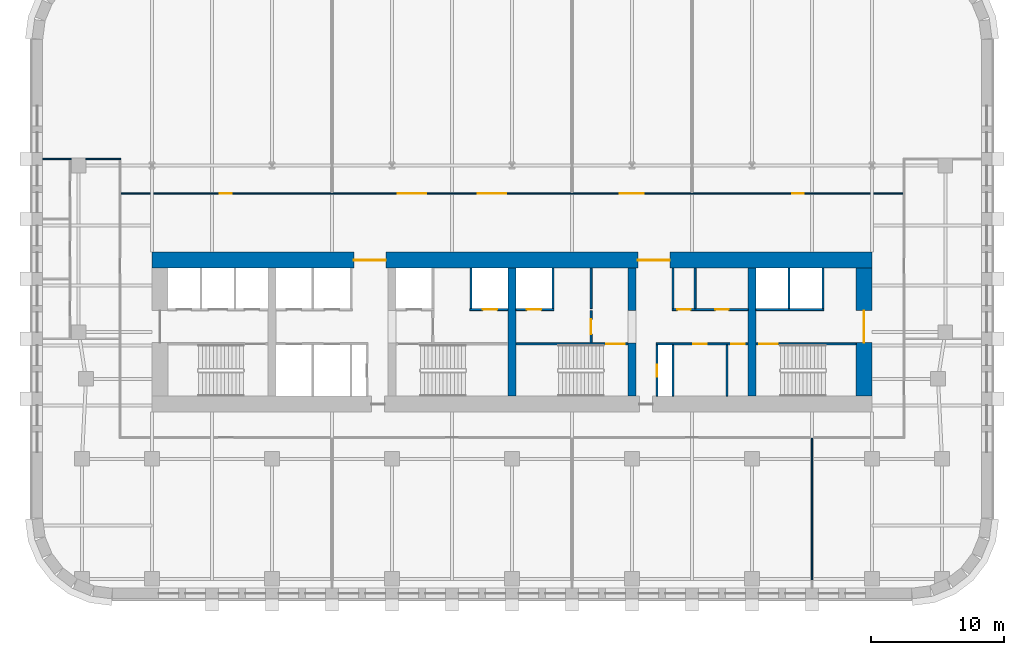
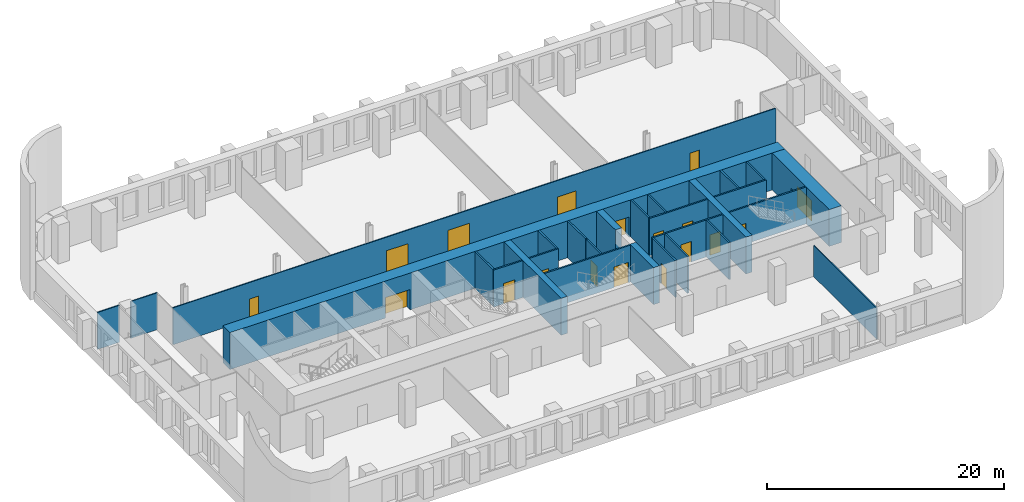
# One storey, part 6 of 11: 28 walls, 18 doors, 18 openings.
"""IFC4 building model written with IfcOpenShell, lengths in metres."""

from ifc_helpers import new_model, si_unit, direction, frame, frame_2d, origin, place, context, subcontext, project, spatial, rectangle, extrude, material, layer, layer_set, type_object, element, fill, save


model = new_model("IFC4")

# Units and contexts
model_context = context("Model", 3, precision=1e-05, world=origin(), true_north=direction((0.0, 1.0)))
body_context = subcontext(model_context, "Body", "Model", "MODEL_VIEW")
ifc_project = project(units=[si_unit("LENGTHUNIT", "METRE"), si_unit("AREAUNIT", "SQUARE_METRE"), si_unit("VOLUMEUNIT", "CUBIC_METRE"), si_unit("PLANEANGLEUNIT", "RADIAN"), si_unit("MASSUNIT", "GRAM", prefix="KILO")], contexts=[model_context])

# Site, building, storey
site_placement = place(None, origin())
site = spatial("IfcSite", under=ifc_project, at=site_placement, CompositionType="ELEMENT")
building_placement = place(site_placement, origin())
building = spatial("IfcBuilding", under=site, at=building_placement, Name="Zellij Exchange Tower", CompositionType="ELEMENT")
storey_placement = place(building_placement, frame((0.0, 0.0, 64.5)))
storey = spatial("IfcBuildingStorey", under=building, at=storey_placement, Name="L12", CompositionType="ELEMENT", Elevation=64.5)

# Walls
ifc_material_1 = material(Name="Concrete C70/85", Category="concrete")
ifc_layer_1 = layer(ifc_material_1, 0.60009765625)
ifc_layer_set_1 = layer_set([ifc_layer_1], Name="Concrete C70/85")
wall_type_1 = type_object("IfcWallType", Name="CORE-CW 600 C70/85", PredefinedType="SHEAR", material=ifc_layer_set_1)
wall_1_placement = place(storey_placement, frame((0.0, -12.800048828125, 0.0), z_axis=(0.0, 0.0, 1.0), x_axis=(0.0, 1.0, 0.0)))
element("IfcWall", 1, at=wall_1_placement, inside=storey, type_object=wall_type_1, Name="Core cross wall x 0 L12", PredefinedType="SHEAR", context=body_context, shape_type="SweptSolid", body=[
    extrude(rectangle(XDim=9.60009765625, YDim=0.60009765625, at=frame_2d((4.800048828125, 0.0))), origin(), (0.0, 0.0, 1.0), 3.800048828125),
])
wall_2_placement = place(storey_placement, frame((9.0, -12.800048828125, 0.0), z_axis=(0.0, 0.0, 1.0), x_axis=(0.0, 1.0, 0.0)))
element("IfcWall", 2, at=wall_2_placement, inside=storey, type_object=wall_type_1, Name="Core cross wall pier x 9 a L12", PredefinedType="SHEAR", context=body_context, shape_type="SweptSolid", body=[
    extrude(rectangle(XDim=4.0, YDim=0.60009765625, at=frame_2d((2.0, 0.0))), origin(), (0.0, 0.0, 1.0), 3.800048828125),
])
wall_3_placement = place(storey_placement, frame((9.0, -6.375, 0.0), z_axis=(0.0, 0.0, 1.0), x_axis=(0.0, 1.0, 0.0)))
element("IfcWall", 3, at=wall_3_placement, inside=storey, type_object=wall_type_1, Name="Core cross wall pier x 9 b L12", PredefinedType="SHEAR", context=body_context, shape_type="SweptSolid", body=[
    extrude(rectangle(XDim=3.175048828125, YDim=0.60009765625, at=frame_2d((1.58740234375, 0.0))), origin(), (0.0, 0.0, 1.0), 3.800048828125),
])
wall_4_placement = place(storey_placement, frame((18.0, -12.800048828125, 0.0), z_axis=(0.0, 0.0, 1.0), x_axis=(0.0, 1.0, 0.0)))
element("IfcWall", 4, at=wall_4_placement, inside=storey, type_object=wall_type_1, Name="Core cross wall x 18 L12", PredefinedType="SHEAR", context=body_context, shape_type="SweptSolid", body=[
    extrude(rectangle(XDim=9.60009765625, YDim=0.60009765625, at=frame_2d((4.800048828125, 0.0))), origin(), (0.0, 0.0, 1.0), 3.800048828125),
])

# Wall, opening, door
ifc_material_2 = material(Name="Gypsum shaft wall system")
ifc_layer_2 = layer(ifc_material_2, 0.14990234375)
ifc_layer_set_2 = layer_set([ifc_layer_2], Name="Gypsum shaft wall system")
wall_type_2 = type_object("IfcWallType", Name="CORE-PW 150 Firefighting lobby wall", PredefinedType="PARTITIONING", material=ifc_layer_set_2)
wall_5_placement = place(storey_placement, frame((5.925048828125, -8.800048828125, 0.0), z_axis=(0.0, 0.0, 1.0), x_axis=(0.0, 1.0, 0.0)))
wall_5 = element("IfcWall", 5, at=wall_5_placement, inside=storey, type_object=wall_type_2, Name="Firefighting lobby wall L12", PredefinedType="PARTITIONING", context=body_context, shape_type="SweptSolid", body=[
    extrude(rectangle(XDim=2.425048828125, YDim=0.14990234375, at=frame_2d((1.21240234375, 0.0))), origin(), (0.0, 0.0, 1.0), 3.800048828125),
])
opening_1_placement = place(wall_5_placement, frame((0.662109375, 0.0, 0.0)))
opening_1 = element("IfcOpeningElement", 6, at=opening_1_placement, cuts=wall_5, Name="Opening CA-08.18", PredefinedType="OPENING", context=body_context, shape_type="SweptSolid", body=[
    extrude(rectangle(XDim=1.10009765625, YDim=2.10009765625, at=frame_2d((0.550048828125, 1.050048828125))), frame((0.0, 0.0869140625, 0.0), z_axis=(0.0, -1.0, 0.0), x_axis=(1.0, 0.0, 0.0)), (0.0, 0.0, 1.0), 0.173828125),
])
ifc_material_3 = material(Name="Hollow metal fire door")
door_type_1 = type_object("IfcDoorType", Name="CORE-D F Firefighting lobby door 1100x2100 1 HR", OperationType="NOTDEFINED", PredefinedType="DOOR", material=ifc_material_3)
door_1_placement = place(opening_1_placement, origin())
door_1 = element("IfcDoor", 7, at=door_1_placement, inside=storey, type_object=door_type_1, Name="Firefighting lobby door CA-08.18", OperationType="SINGLE_SWING_RIGHT", OverallHeight=2.10009765625, OverallWidth=1.10009765625, PredefinedType="DOOR", context=body_context, shape_type="SweptSolid", body=[
    extrude(rectangle(XDim=1.10009765625, YDim=2.10009765625, at=frame_2d((0.550048828125, 1.050048828125))), frame((0.0, 0.02490234375, 0.0), z_axis=(0.0, -1.0, 0.0), x_axis=(1.0, 0.0, 0.0)), (0.0, 0.0, 1.0), 0.050048828125),
])
fill(opening_1, door_1)

# Walls
ifc_material_4 = material(Name="Gypsum board partition")
ifc_layer_3 = layer(ifc_material_4, 0.14990234375)
ifc_layer_set_3 = layer_set([ifc_layer_3], Name="Gypsum board partition")
wall_type_3 = type_object("IfcWallType", Name="CORE-PW 150 Lift lobby wall", PredefinedType="PARTITIONING", material=ifc_layer_set_3)
for number, where, z_axis, x_axis, name in (
    (8, (5.925048828125, -6.22509765625, 0.0), (0.0, 0.0, 1.0), (0.0, 1.0, 0.0), "Lift lobby wall L12"),
    (9, (12.074951171875, -6.22509765625, 0.0), (0.0, 0.0, 1.0), (0.0, 1.0, 0.0), "Lift lobby wall L12"),
    (10, (13.72509765625, -6.22509765625, 0.0), (0.0, 0.0, 1.0), (0.0, 1.0, 0.0), "Lift lobby wall L12"),
):
    element("IfcWall", number, at=place(storey_placement, frame(where, z_axis=z_axis, x_axis=x_axis)), inside=storey, type_object=wall_type_3, Name=name, PredefinedType="PARTITIONING", context=body_context, shape_type="SweptSolid", body=[
        extrude(rectangle(XDim=3.025146484375, YDim=0.14990234375, at=frame_2d((1.5126953125, 0.0))), origin(), (0.0, 0.0, 1.0), 3.800048828125),
    ])

# Wall, opening, door
wall_6_placement = place(storey_placement, frame((10.875, -12.800048828125, 0.0), z_axis=(0.0, 0.0, 1.0), x_axis=(0.0, 1.0, 0.0)))
wall_6 = element("IfcWall", 11, at=wall_6_placement, inside=storey, type_object=wall_type_3, Name="Lift lobby wall L12", PredefinedType="PARTITIONING", context=body_context, shape_type="SweptSolid", body=[
    extrude(rectangle(XDim=3.85009765625, YDim=0.14990234375, at=frame_2d((1.925048828125, 0.0))), origin(), (0.0, 0.0, 1.0), 3.800048828125),
])
opening_2_placement = place(wall_6_placement, frame((1.47509765625, 0.0, 0.0)))
opening_2 = element("IfcOpeningElement", 12, at=opening_2_placement, cuts=wall_6, Name="Opening CA-08.22", PredefinedType="OPENING", context=body_context, shape_type="SweptSolid", body=[
    extrude(rectangle(XDim=0.89990234375, YDim=2.10009765625, at=frame_2d((0.449951171875, 1.050048828125))), frame((0.0, 0.0869140625, 0.0), z_axis=(0.0, -1.0, 0.0), x_axis=(1.0, 0.0, 0.0)), (0.0, 0.0, 1.0), 0.173828125),
])
door_type_2 = type_object("IfcDoorType", Name="CORE-D RD Riser door 900x2100 1.5 HR", OperationType="NOTDEFINED", PredefinedType="DOOR", material=ifc_material_3)
door_2_placement = place(opening_2_placement, origin())
door_2 = element("IfcDoor", 13, at=door_2_placement, inside=storey, type_object=door_type_2, Name="Riser door CA-08.22", OperationType="SINGLE_SWING_LEFT", OverallHeight=2.10009765625, OverallWidth=0.89990234375, PredefinedType="DOOR", context=body_context, shape_type="SweptSolid", body=[
    extrude(rectangle(XDim=0.89990234375, YDim=2.10009765625, at=frame_2d((0.449951171875, 1.050048828125))), frame((0.0, 0.02490234375, 0.0), z_axis=(0.0, -1.0, 0.0), x_axis=(1.0, 0.0, 0.0)), (0.0, 0.0, 1.0), 0.050048828125),
])
fill(opening_2, door_2)

# Walls
for number, where, z_axis, x_axis, name in (
    (14, (12.074951171875, -12.800048828125, 0.0), (0.0, 0.0, 1.0), (0.0, 1.0, 0.0), "Lift lobby wall L12"),
    (15, (16.125, -12.800048828125, 0.0), (0.0, 0.0, 1.0), (0.0, 1.0, 0.0), "Lift lobby wall L12"),
):
    element("IfcWall", number, at=place(storey_placement, frame(where, z_axis=z_axis, x_axis=x_axis)), inside=storey, type_object=wall_type_3, Name=name, PredefinedType="PARTITIONING", context=body_context, shape_type="SweptSolid", body=[
        extrude(rectangle(XDim=3.85009765625, YDim=0.14990234375, at=frame_2d((1.925048828125, 0.0))), origin(), (0.0, 0.0, 1.0), 3.800048828125),
    ])

# Wall, openings, doors
wall_7_placement = place(storey_placement, frame((12.0, -6.300048828125, 0.0), z_axis=(0.0, 0.0, 1.0), x_axis=(1.0, 0.0, 0.0)))
wall_7 = element("IfcWall", 16, at=wall_7_placement, inside=storey, type_object=wall_type_3, Name="Lift lobby wall L12", PredefinedType="PARTITIONING", context=body_context, shape_type="SweptSolid", body=[
    extrude(rectangle(XDim=5.699951171875, YDim=0.14990234375, at=frame_2d((2.85009765625, 0.0))), origin(), (0.0, 0.0, 1.0), 3.800048828125),
])
opening_3_placement = place(wall_7_placement, frame((0.39990234375, 0.0, 0.0)))
opening_3 = element("IfcOpeningElement", 17, at=opening_3_placement, cuts=wall_7, Name="Opening CA-08.23", PredefinedType="OPENING", context=body_context, shape_type="SweptSolid", body=[
    extrude(rectangle(XDim=1.0, YDim=2.10009765625, at=frame_2d((0.5, 1.050048828125))), frame((0.0, 0.0869140625, 0.0), z_axis=(0.0, -1.0, 0.0), x_axis=(1.0, 0.0, 0.0)), (0.0, 0.0, 1.0), 0.173828125),
])
opening_4_placement = place(wall_7_placement, frame((3.25, 0.0, 0.0)))
opening_4 = element("IfcOpeningElement", 18, at=opening_4_placement, cuts=wall_7, Name="Opening CA-08.25", PredefinedType="OPENING", context=body_context, shape_type="SweptSolid", body=[
    extrude(rectangle(XDim=1.0, YDim=2.10009765625, at=frame_2d((0.5, 1.050048828125))), frame((0.0, 0.0869140625, 0.0), z_axis=(0.0, -1.0, 0.0), x_axis=(1.0, 0.0, 0.0)), (0.0, 0.0, 1.0), 0.173828125),
])
door_type_3 = type_object("IfcDoorType", Name="CORE-D CD Core room door 1000x2100 1 HR", OperationType="NOTDEFINED", PredefinedType="DOOR", material=ifc_material_3)
door_3_placement = place(opening_3_placement, origin())
door_3 = element("IfcDoor", 19, at=door_3_placement, inside=storey, type_object=door_type_3, Name="Core room door CA-08.23", OperationType="SINGLE_SWING_LEFT", OverallHeight=2.10009765625, OverallWidth=1.0, PredefinedType="DOOR", context=body_context, shape_type="SweptSolid", body=[
    extrude(rectangle(XDim=1.0, YDim=2.10009765625, at=frame_2d((0.5, 1.050048828125))), frame((0.0, 0.02490234375, 0.0), z_axis=(0.0, -1.0, 0.0), x_axis=(1.0, 0.0, 0.0)), (0.0, 0.0, 1.0), 0.050048828125),
])
fill(opening_3, door_3)
door_4_placement = place(opening_4_placement, origin())
door_4 = element("IfcDoor", 20, at=door_4_placement, inside=storey, type_object=door_type_3, Name="Core room door CA-08.25", OperationType="SINGLE_SWING_RIGHT", OverallHeight=2.10009765625, OverallWidth=1.0, PredefinedType="DOOR", context=body_context, shape_type="SweptSolid", body=[
    extrude(rectangle(XDim=1.0, YDim=2.10009765625, at=frame_2d((0.5, 1.050048828125))), frame((0.0, 0.02490234375, 0.0), z_axis=(0.0, -1.0, 0.0), x_axis=(1.0, 0.0, 0.0)), (0.0, 0.0, 1.0), 0.050048828125),
])
fill(opening_4, door_4)

wall_8_placement = place(storey_placement, frame((10.800048828125, -8.875, 0.0), z_axis=(0.0, 0.0, 1.0), x_axis=(1.0, 0.0, 0.0)))
wall_8 = element("IfcWall", 21, at=wall_8_placement, inside=storey, type_object=wall_type_3, Name="Lift lobby wall L12", PredefinedType="PARTITIONING", context=body_context, shape_type="SweptSolid", body=[
    extrude(rectangle(XDim=6.89990234375, YDim=0.14990234375, at=frame_2d((3.449951171875, 0.0))), origin(), (0.0, 0.0, 1.0), 3.800048828125),
])
opening_5_placement = place(wall_8_placement, frame((2.800048828125, 0.0, 0.0)))
opening_5 = element("IfcOpeningElement", 22, at=opening_5_placement, cuts=wall_8, Name="Opening CA-08.24", PredefinedType="OPENING", context=body_context, shape_type="SweptSolid", body=[
    extrude(rectangle(XDim=1.0, YDim=2.10009765625, at=frame_2d((0.5, 1.050048828125))), frame((0.0, 0.0869140625, 0.0), z_axis=(0.0, -1.0, 0.0), x_axis=(1.0, 0.0, 0.0)), (0.0, 0.0, 1.0), 0.173828125),
])
opening_6_placement = place(wall_8_placement, frame((5.64990234375, 0.0, 0.0)))
opening_6 = element("IfcOpeningElement", 23, at=opening_6_placement, cuts=wall_8, Name="Opening CA-08.26", PredefinedType="OPENING", context=body_context, shape_type="SweptSolid", body=[
    extrude(rectangle(XDim=1.0, YDim=2.10009765625, at=frame_2d((0.5, 1.050048828125))), frame((0.0, 0.0869140625, 0.0), z_axis=(0.0, -1.0, 0.0), x_axis=(1.0, 0.0, 0.0)), (0.0, 0.0, 1.0), 0.173828125),
])
door_5_placement = place(opening_5_placement, origin())
door_5 = element("IfcDoor", 24, at=door_5_placement, inside=storey, type_object=door_type_3, Name="Core room door CA-08.24", OperationType="SINGLE_SWING_RIGHT", OverallHeight=2.10009765625, OverallWidth=1.0, PredefinedType="DOOR", context=body_context, shape_type="SweptSolid", body=[
    extrude(rectangle(XDim=1.0, YDim=2.10009765625, at=frame_2d((0.5, 1.050048828125))), frame((0.0, 0.02490234375, 0.0), z_axis=(0.0, -1.0, 0.0), x_axis=(1.0, 0.0, 0.0)), (0.0, 0.0, 1.0), 0.050048828125),
])
fill(opening_5, door_5)
door_6_placement = place(opening_6_placement, origin())
door_6 = element("IfcDoor", 25, at=door_6_placement, inside=storey, type_object=door_type_3, Name="Core room door CA-08.26", OperationType="SINGLE_SWING_LEFT", OverallHeight=2.10009765625, OverallWidth=1.0, PredefinedType="DOOR", context=body_context, shape_type="SweptSolid", body=[
    extrude(rectangle(XDim=1.0, YDim=2.10009765625, at=frame_2d((0.5, 1.050048828125))), frame((0.0, 0.02490234375, 0.0), z_axis=(0.0, -1.0, 0.0), x_axis=(1.0, 0.0, 0.0)), (0.0, 0.0, 1.0), 0.050048828125),
])
fill(opening_6, door_6)

# Walls
ifc_layer_4 = layer(ifc_material_2, 0.14990234375)
ifc_layer_set_4 = layer_set([ifc_layer_4], Name="Gypsum shaft wall system")
wall_type_4 = type_object("IfcWallType", Name="CORE-PW 150 Lift shaft wall", PredefinedType="PARTITIONING", material=ifc_layer_set_4)
for number, where, z_axis, x_axis, name in (
    (26, (-3.074951171875, -6.22509765625, 0.0), (0.0, 0.0, 1.0), (0.0, 1.0, 0.0), "Lift shaft wall L12"),
    (27, (3.074951171875, -6.22509765625, 0.0), (0.0, 0.0, 1.0), (0.0, 1.0, 0.0), "Lift shaft wall L12"),
    (28, (20.77490234375, -6.22509765625, 0.0), (0.0, 0.0, 1.0), (0.0, 1.0, 0.0), "Lift shaft wall L12"),
    (29, (23.324951171875, -6.22509765625, 0.0), (0.0, 0.0, 1.0), (0.0, 1.0, 0.0), "Lift shaft wall L12"),
):
    element("IfcWall", number, at=place(storey_placement, frame(where, z_axis=z_axis, x_axis=x_axis)), inside=storey, type_object=wall_type_4, Name=name, PredefinedType="PARTITIONING", context=body_context, shape_type="SweptSolid", body=[
        extrude(rectangle(XDim=3.025146484375, YDim=0.14990234375, at=frame_2d((1.5126953125, 0.0))), origin(), (0.0, 0.0, 1.0), 3.800048828125),
    ])

# Wall, opening, door
wall_9_placement = place(storey_placement, frame((-3.14990234375, -6.300048828125, 0.0), z_axis=(0.0, 0.0, 1.0), x_axis=(1.0, 0.0, 0.0)))
wall_9 = element("IfcWall", 30, at=wall_9_placement, inside=storey, type_object=wall_type_4, Name="Lift shaft wall L12", PredefinedType="PARTITIONING", context=body_context, shape_type="SweptSolid", body=[
    extrude(rectangle(XDim=2.849853515625, YDim=0.14990234375, at=frame_2d((1.4248046875, 0.0))), origin(), (0.0, 0.0, 1.0), 3.800048828125),
])
opening_7_placement = place(wall_9_placement, frame((0.949951171875, 0.0, 0.0)))
opening_7 = element("IfcOpeningElement", 31, at=opening_7_placement, cuts=wall_9, Name="Opening CA-08.16", PredefinedType="OPENING", context=body_context, shape_type="SweptSolid", body=[
    extrude(rectangle(XDim=1.10009765625, YDim=2.10009765625, at=frame_2d((0.550048828125, 1.050048828125))), frame((0.0, 0.0869140625, 0.0), z_axis=(0.0, -1.0, 0.0), x_axis=(1.0, 0.0, 0.0)), (0.0, 0.0, 1.0), 0.173828125),
])
door_type_4 = type_object("IfcDoorType", Name="CORE-D LD Lift landing door 1100x2100 1.5 HR", OperationType="NOTDEFINED", PredefinedType="DOOR", material=ifc_material_3)
door_7_placement = place(opening_7_placement, origin())
door_7 = element("IfcDoor", 32, at=door_7_placement, inside=storey, type_object=door_type_4, Name="Lift landing door CA-08.16", OperationType="SLIDING_TO_RIGHT", OverallHeight=2.10009765625, OverallWidth=1.10009765625, PredefinedType="DOOR", context=body_context, shape_type="SweptSolid", body=[
    extrude(rectangle(XDim=1.10009765625, YDim=2.10009765625, at=frame_2d((0.550048828125, 1.050048828125))), frame((0.0, 0.02490234375, 0.0), z_axis=(0.0, -1.0, 0.0), x_axis=(1.0, 0.0, 0.0)), (0.0, 0.0, 1.0), 0.050048828125),
])
fill(opening_7, door_7)

wall_10_placement = place(storey_placement, frame((0.300048828125, -6.300048828125, 0.0), z_axis=(0.0, 0.0, 1.0), x_axis=(1.0, 0.0, 0.0)))
wall_10 = element("IfcWall", 33, at=wall_10_placement, inside=storey, type_object=wall_type_4, Name="Lift shaft wall L12", PredefinedType="PARTITIONING", context=body_context, shape_type="SweptSolid", body=[
    extrude(rectangle(XDim=2.849853515625, YDim=0.14990234375, at=frame_2d((1.4248046875, 0.0))), origin(), (0.0, 0.0, 1.0), 3.800048828125),
])
opening_8_placement = place(wall_10_placement, frame((0.800048828125, 0.0, 0.0)))
opening_8 = element("IfcOpeningElement", 34, at=opening_8_placement, cuts=wall_10, Name="Opening CA-08.17", PredefinedType="OPENING", context=body_context, shape_type="SweptSolid", body=[
    extrude(rectangle(XDim=1.10009765625, YDim=2.10009765625, at=frame_2d((0.550048828125, 1.050048828125))), frame((0.0, 0.0869140625, 0.0), z_axis=(0.0, -1.0, 0.0), x_axis=(1.0, 0.0, 0.0)), (0.0, 0.0, 1.0), 0.173828125),
])
door_8_placement = place(opening_8_placement, origin())
door_8 = element("IfcDoor", 35, at=door_8_placement, inside=storey, type_object=door_type_4, Name="Lift landing door CA-08.17", OperationType="SLIDING_TO_LEFT", OverallHeight=2.10009765625, OverallWidth=1.10009765625, PredefinedType="DOOR", context=body_context, shape_type="SweptSolid", body=[
    extrude(rectangle(XDim=1.10009765625, YDim=2.10009765625, at=frame_2d((0.550048828125, 1.050048828125))), frame((0.0, 0.02490234375, 0.0), z_axis=(0.0, -1.0, 0.0), x_axis=(1.0, 0.0, 0.0)), (0.0, 0.0, 1.0), 0.050048828125),
])
fill(opening_8, door_8)

# Wall
wall_11_placement = place(storey_placement, frame((18.300048828125, -6.300048828125, 0.0), z_axis=(0.0, 0.0, 1.0), x_axis=(1.0, 0.0, 0.0)))
element("IfcWall", 36, at=wall_11_placement, inside=storey, type_object=wall_type_4, Name="Lift shaft wall L12", PredefinedType="PARTITIONING", context=body_context, shape_type="SweptSolid", body=[
    extrude(rectangle(XDim=5.099853515625, YDim=0.14990234375, at=frame_2d((2.5498046875, 0.0))), origin(), (0.0, 0.0, 1.0), 3.800048828125),
])

# Wall, openings, doors
ifc_layer_5 = layer(ifc_material_1, 1.199951171875)
ifc_layer_set_5 = layer_set([ifc_layer_5], Name="Concrete C70/85")
wall_type_5 = type_object("IfcWallType", Name="CORE-SW 1200 C70/85", PredefinedType="SHEAR", material=ifc_layer_set_5)
wall_12_placement = place(storey_placement, frame((-27.0, -2.60009765625, 0.0), z_axis=(0.0, 0.0, 1.0), x_axis=(1.0, 0.0, 0.0)))
wall_12 = element("IfcWall", 37, at=wall_12_placement, inside=storey, type_object=wall_type_5, Name="Core shear wall front L12", PredefinedType="SHEAR", context=body_context, shape_type="SweptSolid", body=[
    extrude(rectangle(XDim=54.0, YDim=1.199951171875, at=frame_2d((27.0, 0.0))), origin(), (0.0, 0.0, 1.0), 3.800048828125),
])
opening_9_placement = place(wall_12_placement, frame((15.14990234375, 0.0, 0.0)))
opening_9 = element("IfcOpeningElement", 38, at=opening_9_placement, cuts=wall_12, Name="Opening CA-08.11", PredefinedType="OPENING", context=body_context, shape_type="SweptSolid", body=[
    extrude(rectangle(XDim=2.39990234375, YDim=2.10009765625, at=frame_2d((1.199951171875, 1.050048828125))), frame((0.0, 0.61181640625, 0.0), z_axis=(0.0, -1.0, 0.0), x_axis=(1.0, 0.0, 0.0)), (0.0, 0.0, 1.0), 1.223876953125),
])
opening_10_placement = place(wall_12_placement, frame((36.449951171875, 0.0, 0.0)))
opening_10 = element("IfcOpeningElement", 39, at=opening_10_placement, cuts=wall_12, Name="Opening CA-08.21", PredefinedType="OPENING", context=body_context, shape_type="SweptSolid", body=[
    extrude(rectangle(XDim=2.39990234375, YDim=2.10009765625, at=frame_2d((1.199951171875, 1.050048828125))), frame((0.0, 0.61181640625, 0.0), z_axis=(0.0, -1.0, 0.0), x_axis=(1.0, 0.0, 0.0)), (0.0, 0.0, 1.0), 1.223876953125),
])
door_type_5 = type_object("IfcDoorType", Name="CORE-D CE Core entrance door 2400x2100 20 MIN", OperationType="NOTDEFINED", PredefinedType="DOOR", material=ifc_material_3)
door_9_placement = place(opening_9_placement, origin())
door_9 = element("IfcDoor", 40, at=door_9_placement, inside=storey, type_object=door_type_5, Name="Core entrance door CA-08.11", OperationType="DOUBLE_DOOR_SINGLE_SWING", OverallHeight=2.10009765625, OverallWidth=2.39990234375, PredefinedType="DOOR", context=body_context, shape_type="SweptSolid", body=[
    extrude(rectangle(XDim=2.39990234375, YDim=2.10009765625, at=frame_2d((1.199951171875, 1.050048828125))), frame((0.0, 0.02490234375, 0.0), z_axis=(0.0, -1.0, 0.0), x_axis=(1.0, 0.0, 0.0)), (0.0, 0.0, 1.0), 0.050048828125),
])
fill(opening_9, door_9)
door_10_placement = place(opening_10_placement, origin())
door_10 = element("IfcDoor", 41, at=door_10_placement, inside=storey, type_object=door_type_5, Name="Core entrance door CA-08.21", OperationType="DOUBLE_DOOR_SINGLE_SWING", OverallHeight=2.10009765625, OverallWidth=2.39990234375, PredefinedType="DOOR", context=body_context, shape_type="SweptSolid", body=[
    extrude(rectangle(XDim=2.39990234375, YDim=2.10009765625, at=frame_2d((1.199951171875, 1.050048828125))), frame((0.0, 0.02490234375, 0.0), z_axis=(0.0, -1.0, 0.0), x_axis=(1.0, 0.0, 0.0)), (0.0, 0.0, 1.0), 0.050048828125),
])
fill(opening_10, door_10)

# Wall, opening, door
wall_13_placement = place(storey_placement, frame((26.39990234375, -12.800048828125, 0.0), z_axis=(0.0, 0.0, 1.0), x_axis=(0.0, 1.0, 0.0)))
wall_13 = element("IfcWall", 42, at=wall_13_placement, inside=storey, type_object=wall_type_5, Name="Core shear wall end e L12", PredefinedType="SHEAR", context=body_context, shape_type="SweptSolid", body=[
    extrude(rectangle(XDim=9.60009765625, YDim=1.199951171875, at=frame_2d((4.800048828125, 0.0))), origin(), (0.0, 0.0, 1.0), 3.800048828125),
])
opening_11_placement = place(wall_13_placement, frame((4.011962890625, 0.0, 0.0)))
opening_11 = element("IfcOpeningElement", 43, at=opening_11_placement, cuts=wall_13, Name="Opening CA-08.28", PredefinedType="OPENING", context=body_context, shape_type="SweptSolid", body=[
    extrude(rectangle(XDim=2.39990234375, YDim=2.10009765625, at=frame_2d((1.199951171875, 1.050048828125))), frame((0.0, 0.61181640625, 0.0), z_axis=(0.0, -1.0, 0.0), x_axis=(1.0, 0.0, 0.0)), (0.0, 0.0, 1.0), 1.223876953125),
])
door_11_placement = place(opening_11_placement, origin())
door_11 = element("IfcDoor", 44, at=door_11_placement, inside=storey, type_object=door_type_5, Name="Core entrance door CA-08.28", OperationType="DOUBLE_DOOR_SINGLE_SWING", OverallHeight=2.10009765625, OverallWidth=2.39990234375, PredefinedType="DOOR", context=body_context, shape_type="SweptSolid", body=[
    extrude(rectangle(XDim=2.39990234375, YDim=2.10009765625, at=frame_2d((1.199951171875, 1.050048828125))), frame((0.0, 0.02490234375, 0.0), z_axis=(0.0, -1.0, 0.0), x_axis=(1.0, 0.0, 0.0)), (0.0, 0.0, 1.0), 0.050048828125),
])
fill(opening_11, door_11)

ifc_layer_6 = layer(ifc_material_1, 0.14990234375)
ifc_layer_set_6 = layer_set([ifc_layer_6], Name="Concrete C70/85")
wall_type_6 = type_object("IfcWallType", Name="CORE-SWS 150 C70/85", PredefinedType="SHEAR", material=ifc_layer_set_6)
wall_14_placement = place(storey_placement, frame((0.300048828125, -8.875, 0.0), z_axis=(0.0, 0.0, 1.0), x_axis=(1.0, 0.0, 0.0)))
wall_14 = element("IfcWall", 45, at=wall_14_placement, inside=storey, type_object=wall_type_6, Name="Stair enclosure wall L12", PredefinedType="SHEAR", context=body_context, shape_type="SweptSolid", body=[
    extrude(rectangle(XDim=8.39990234375, YDim=0.14990234375, at=frame_2d((4.199951171875, 0.0))), origin(), (0.0, 0.0, 1.0), 3.800048828125),
])
opening_12_placement = place(wall_14_placement, frame((6.77490234375, 0.0, 0.0)))
opening_12 = element("IfcOpeningElement", 46, at=opening_12_placement, cuts=wall_14, Name="Opening CA-08.19", PredefinedType="OPENING", context=body_context, shape_type="SweptSolid", body=[
    extrude(rectangle(XDim=1.39990234375, YDim=2.10009765625, at=frame_2d((0.699951171875, 1.050048828125))), frame((0.0, 0.0869140625, 0.0), z_axis=(0.0, -1.0, 0.0), x_axis=(1.0, 0.0, 0.0)), (0.0, 0.0, 1.0), 0.173828125),
])
door_type_6 = type_object("IfcDoorType", Name="CORE-D SD Stair door 1400x2100 1.5 HR", OperationType="NOTDEFINED", PredefinedType="DOOR", material=ifc_material_3)
door_12_placement = place(opening_12_placement, origin())
door_12 = element("IfcDoor", 47, at=door_12_placement, inside=storey, type_object=door_type_6, Name="Stair door CA-08.19", OperationType="DOUBLE_DOOR_SINGLE_SWING", OverallHeight=2.10009765625, OverallWidth=1.39990234375, PredefinedType="DOOR", context=body_context, shape_type="SweptSolid", body=[
    extrude(rectangle(XDim=1.39990234375, YDim=2.10009765625, at=frame_2d((0.699951171875, 1.050048828125))), frame((0.0, 0.02490234375, 0.0), z_axis=(0.0, -1.0, 0.0), x_axis=(1.0, 0.0, 0.0)), (0.0, 0.0, 1.0), 0.050048828125),
])
fill(opening_12, door_12)

wall_15_placement = place(storey_placement, frame((18.300048828125, -8.875, 0.0), z_axis=(0.0, 0.0, 1.0), x_axis=(1.0, 0.0, 0.0)))
wall_15 = element("IfcWall", 48, at=wall_15_placement, inside=storey, type_object=wall_type_6, Name="Stair enclosure wall L12", PredefinedType="SHEAR", context=body_context, shape_type="SweptSolid", body=[
    extrude(rectangle(XDim=7.5, YDim=0.14990234375, at=frame_2d((3.75, 0.0))), origin(), (0.0, 0.0, 1.0), 3.800048828125),
])
opening_13_placement = place(wall_15_placement, frame((0.22509765625, 0.0, 0.0)))
opening_13 = element("IfcOpeningElement", 49, at=opening_13_placement, cuts=wall_15, Name="Opening CA-08.27", PredefinedType="OPENING", context=body_context, shape_type="SweptSolid", body=[
    extrude(rectangle(XDim=1.39990234375, YDim=2.10009765625, at=frame_2d((0.699951171875, 1.050048828125))), frame((0.0, 0.0869140625, 0.0), z_axis=(0.0, -1.0, 0.0), x_axis=(1.0, 0.0, 0.0)), (0.0, 0.0, 1.0), 0.173828125),
])
door_13_placement = place(opening_13_placement, origin())
door_13 = element("IfcDoor", 50, at=door_13_placement, inside=storey, type_object=door_type_6, Name="Stair door CA-08.27", OperationType="DOUBLE_DOOR_SINGLE_SWING", OverallHeight=2.10009765625, OverallWidth=1.39990234375, PredefinedType="DOOR", context=body_context, shape_type="SweptSolid", body=[
    extrude(rectangle(XDim=1.39990234375, YDim=2.10009765625, at=frame_2d((0.699951171875, 1.050048828125))), frame((0.0, 0.02490234375, 0.0), z_axis=(0.0, -1.0, 0.0), x_axis=(1.0, 0.0, 0.0)), (0.0, 0.0, 1.0), 0.050048828125),
])
fill(opening_13, door_13)

# Wall
ifc_material_5 = material(Name="Gypsum board partition on steel studs", Category="steel")
ifc_layer_7 = layer(ifc_material_5, 0.10009765625)
ifc_layer_set_7 = layer_set([ifc_layer_7], Name="Gypsum board partition on steel studs")
wall_type_7 = type_object("IfcWallType", Name="FIT-PARTITION-100", PredefinedType="PARTITIONING", material=ifc_layer_set_7)
wall_16_placement = place(storey_placement, frame((22.5, -26.614501953125, 0.0), z_axis=(0.0, 0.0, 1.0), x_axis=(0.0, 1.0, 0.0)))
element("IfcWall", 51, at=wall_16_placement, inside=storey, type_object=wall_type_7, Name="FIT-PARTITION-100 006", PredefinedType="PARTITIONING", context=body_context, shape_type="SweptSolid", body=[
    extrude(rectangle(XDim=10.66455078125, YDim=0.10009765625, at=frame_2d((5.332275390625, 0.0))), origin(), (0.0, 0.0, 1.0), 3.197998046875),
])

# Wall, openings, doors
wall_17_placement = place(storey_placement, frame((-29.35009765625, 2.39990234375, 0.0), z_axis=(0.0, 0.0, 1.0), x_axis=(1.0, 0.0, 0.0)))
wall_17 = element("IfcWall", 52, at=wall_17_placement, inside=storey, type_object=wall_type_7, Name="FIT-PARTITION-100 017", PredefinedType="PARTITIONING", context=body_context, shape_type="SweptSolid", body=[
    extrude(rectangle(XDim=58.7001953125, YDim=0.10009765625, at=frame_2d((29.35009765625, 0.0))), origin(), (0.0, 0.0, 1.0), 3.800048828125),
])
opening_14_placement = place(wall_17_placement, frame((7.449951171875, 0.0, 0.0)))
opening_14 = element("IfcOpeningElement", 53, at=opening_14_placement, cuts=wall_17, Name="Opening TB.09", PredefinedType="OPENING", context=body_context, shape_type="SweptSolid", body=[
    extrude(rectangle(XDim=0.89990234375, YDim=2.10009765625, at=frame_2d((0.449951171875, 1.050048828125))), frame((0.0, 0.06201171875, 0.0), z_axis=(0.0, -1.0, 0.0), x_axis=(1.0, 0.0, 0.0)), (0.0, 0.0, 1.0), 0.1240234375),
])
opening_15_placement = place(wall_17_placement, frame((20.800048828125, 0.0, 0.0)))
opening_15 = element("IfcOpeningElement", 54, at=opening_15_placement, cuts=wall_17, Name="Opening TB.10", PredefinedType="OPENING", context=body_context, shape_type="SweptSolid", body=[
    extrude(rectangle(XDim=2.10009765625, YDim=2.39990234375, at=frame_2d((1.050048828125, 1.199951171875))), frame((0.0, 0.06201171875, 0.0), z_axis=(0.0, -1.0, 0.0), x_axis=(1.0, 0.0, 0.0)), (0.0, 0.0, 1.0), 0.1240234375),
])
opening_16_placement = place(wall_17_placement, frame((26.800048828125, 0.0, 0.0)))
opening_16 = element("IfcOpeningElement", 55, at=opening_16_placement, cuts=wall_17, Name="Opening TB.11", PredefinedType="OPENING", context=body_context, shape_type="SweptSolid", body=[
    extrude(rectangle(XDim=2.10009765625, YDim=2.39990234375, at=frame_2d((1.050048828125, 1.199951171875))), frame((0.0, 0.06201171875, 0.0), z_axis=(0.0, -1.0, 0.0), x_axis=(1.0, 0.0, 0.0)), (0.0, 0.0, 1.0), 0.1240234375),
])
opening_17_placement = place(wall_17_placement, frame((37.449951171875, 0.0, 0.0)))
opening_17 = element("IfcOpeningElement", 56, at=opening_17_placement, cuts=wall_17, Name="Opening TB.12", PredefinedType="OPENING", context=body_context, shape_type="SweptSolid", body=[
    extrude(rectangle(XDim=1.800048828125, YDim=2.10009765625, at=frame_2d((0.89990234375, 1.050048828125))), frame((0.0, 0.06201171875, 0.0), z_axis=(0.0, -1.0, 0.0), x_axis=(1.0, 0.0, 0.0)), (0.0, 0.0, 1.0), 0.1240234375),
])
opening_18_placement = place(wall_17_placement, frame((50.35009765625, 0.0, 0.0)))
opening_18 = element("IfcOpeningElement", 57, at=opening_18_placement, cuts=wall_17, Name="Opening TB.13", PredefinedType="OPENING", context=body_context, shape_type="SweptSolid", body=[
    extrude(rectangle(XDim=0.89990234375, YDim=2.10009765625, at=frame_2d((0.449951171875, 1.050048828125))), frame((0.0, 0.06201171875, 0.0), z_axis=(0.0, -1.0, 0.0), x_axis=(1.0, 0.0, 0.0)), (0.0, 0.0, 1.0), 0.1240234375),
])
ifc_material_6 = material(Name="Timber door set", Category="wood")
door_type_7 = type_object("IfcDoorType", Name="FIT-D1-ROOM-900X2100", OperationType="SINGLE_SWING_LEFT", PredefinedType="DOOR", material=ifc_material_6)
door_14_placement = place(opening_14_placement, origin())
door_14 = element("IfcDoor", 58, at=door_14_placement, inside=storey, type_object=door_type_7, Name="Door TB.09", OperationType="SINGLE_SWING_RIGHT", OverallHeight=2.10009765625, OverallWidth=0.89990234375, PredefinedType="DOOR", context=body_context, shape_type="SweptSolid", body=[
    extrude(rectangle(XDim=0.89990234375, YDim=2.10009765625, at=frame_2d((0.449951171875, 1.050048828125))), frame((0.0, 0.02490234375, 0.0), z_axis=(0.0, -1.0, 0.0), x_axis=(1.0, 0.0, 0.0)), (0.0, 0.0, 1.0), 0.050048828125),
])
fill(opening_14, door_14)
door_15_placement = place(opening_18_placement, origin())
door_15 = element("IfcDoor", 59, at=door_15_placement, inside=storey, type_object=door_type_7, Name="Door TB.13", OperationType="SINGLE_SWING_RIGHT", OverallHeight=2.10009765625, OverallWidth=0.89990234375, PredefinedType="DOOR", context=body_context, shape_type="SweptSolid", body=[
    extrude(rectangle(XDim=0.89990234375, YDim=2.10009765625, at=frame_2d((0.449951171875, 1.050048828125))), frame((0.0, 0.02490234375, 0.0), z_axis=(0.0, -1.0, 0.0), x_axis=(1.0, 0.0, 0.0)), (0.0, 0.0, 1.0), 0.050048828125),
])
fill(opening_18, door_15)
door_type_8 = type_object("IfcDoorType", Name="FIT-D3-DOUBLE-1800X2100", OperationType="DOUBLE_DOOR_SINGLE_SWING", PredefinedType="DOOR", material=ifc_material_6)
door_16_placement = place(opening_17_placement, origin())
door_16 = element("IfcDoor", 60, at=door_16_placement, inside=storey, type_object=door_type_8, Name="Door TB.12", OperationType="DOUBLE_DOOR_SINGLE_SWING", OverallHeight=2.10009765625, OverallWidth=1.800048828125, PredefinedType="DOOR", context=body_context, shape_type="SweptSolid", body=[
    extrude(rectangle(XDim=1.800048828125, YDim=2.10009765625, at=frame_2d((0.89990234375, 1.050048828125))), frame((0.0, 0.02490234375, 0.0), z_axis=(0.0, -1.0, 0.0), x_axis=(1.0, 0.0, 0.0)), (0.0, 0.0, 1.0), 0.050048828125),
])
fill(opening_17, door_16)
door_type_9 = type_object("IfcDoorType", Name="FIT-D7-ASSEMBLY-2100X2400", OperationType="DOUBLE_DOOR_SINGLE_SWING", PredefinedType="DOOR", material=ifc_material_6)
door_17_placement = place(opening_15_placement, origin())
door_17 = element("IfcDoor", 61, at=door_17_placement, inside=storey, type_object=door_type_9, Name="Door TB.10", OperationType="DOUBLE_DOOR_SINGLE_SWING", OverallHeight=2.39990234375, OverallWidth=2.10009765625, PredefinedType="DOOR", context=body_context, shape_type="SweptSolid", body=[
    extrude(rectangle(XDim=2.10009765625, YDim=2.39990234375, at=frame_2d((1.050048828125, 1.199951171875))), frame((0.0, 0.02490234375, 0.0), z_axis=(0.0, -1.0, 0.0), x_axis=(1.0, 0.0, 0.0)), (0.0, 0.0, 1.0), 0.050048828125),
])
fill(opening_15, door_17)
door_18_placement = place(opening_16_placement, origin())
door_18 = element("IfcDoor", 62, at=door_18_placement, inside=storey, type_object=door_type_9, Name="Door TB.11", OperationType="DOUBLE_DOOR_SINGLE_SWING", OverallHeight=2.39990234375, OverallWidth=2.10009765625, PredefinedType="DOOR", context=body_context, shape_type="SweptSolid", body=[
    extrude(rectangle(XDim=2.10009765625, YDim=2.39990234375, at=frame_2d((1.050048828125, 1.199951171875))), frame((0.0, 0.02490234375, 0.0), z_axis=(0.0, -1.0, 0.0), x_axis=(1.0, 0.0, 0.0)), (0.0, 0.0, 1.0), 0.050048828125),
])
fill(opening_16, door_18)

# Walls
wall_18_placement = place(storey_placement, frame((-35.199951171875, 4.989990234375, 0.0), z_axis=(0.0, 0.0, 1.0), x_axis=(1.0, 0.0, 0.0)))
element("IfcWall", 63, at=wall_18_placement, inside=storey, type_object=wall_type_7, Name="FIT-PARTITION-100 024", PredefinedType="PARTITIONING", context=body_context, shape_type="SweptSolid", body=[
    extrude(rectangle(XDim=2.14990234375, YDim=0.10009765625, at=frame_2d((1.074951171875, 0.0))), origin(), (0.0, 0.0, 1.0), 3.800048828125),
])
wall_19_placement = place(storey_placement, frame((-31.949951171875, 4.989990234375, 0.0), z_axis=(0.0, 0.0, 1.0), x_axis=(1.0, 0.0, 0.0)))
element("IfcWall", 64, at=wall_19_placement, inside=storey, type_object=wall_type_7, Name="FIT-PARTITION-100 025", PredefinedType="PARTITIONING", context=body_context, shape_type="SweptSolid", body=[
    extrude(rectangle(XDim=2.599853515625, YDim=0.10009765625, at=frame_2d((1.2998046875, 0.0))), origin(), (0.0, 0.0, 1.0), 3.800048828125),
])

save(model, "model.ifc")
